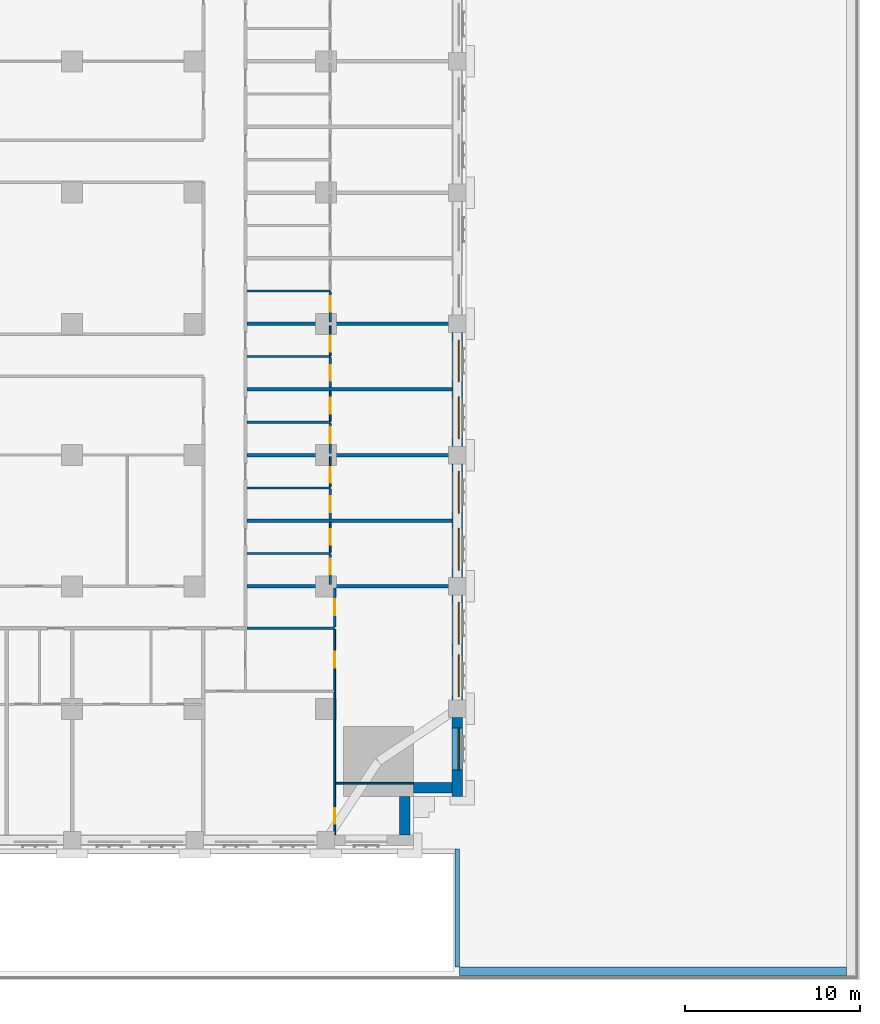
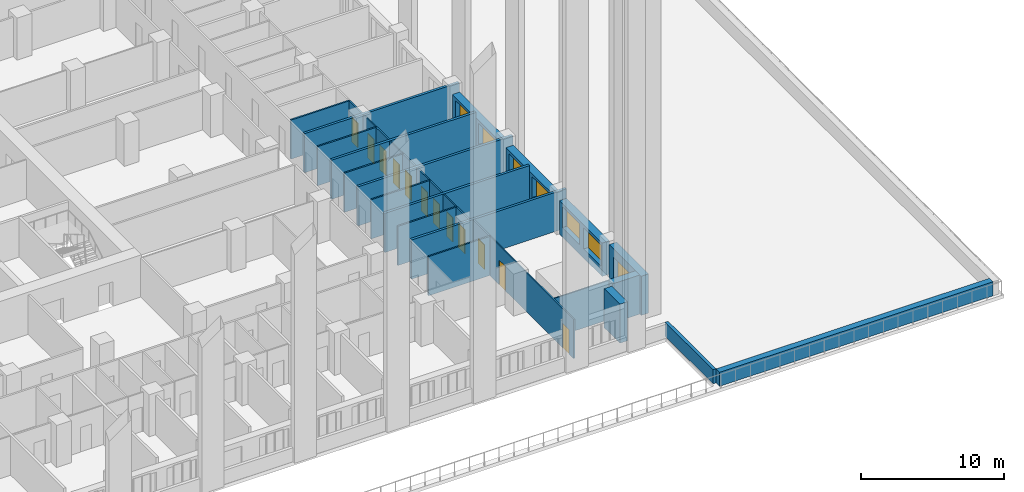
# One storey, part 16 of 27: 31 walls, 12 doors, 7 windows, 19 openings.
"""IFC4 building model written with IfcOpenShell, lengths in metres."""

import ifcopenshell
import ifcopenshell.guid

model = None  # the IFC model being written
_history = None  # IfcOwnerHistory: only IFC2X3 demands one
_inside = {}  # id of a spatial element -> (the spatial element, [elements in it])
_under = {}  # id of a project, library or spatial element -> (it, [spatial elements below it])
_declared = {}  # id of a project -> (the project, [libraries it declares])
_typed = {}  # id of a type object -> (the type object, [elements of that type])
_made_of = {}  # id of a material, layer set ... -> (it, [elements and type objects made of it])


def new_model(schema):
    """Start an empty IFC model of exactly this schema.

    Asked for "IFC4X3", IfcOpenShell would pick the latest addendum, in which some entities
    have other attributes; the version numbers below select the first issue.
    IFC2X3 requires an IfcOwnerHistory on every rooted entity: one is made here for all.
    """
    global model, _history
    if schema == "IFC4X3":
        model = ifcopenshell.file(schema_version=(4, 3, 0, 0))
    else:
        model = ifcopenshell.file(schema=schema)
    _inside.clear()
    _under.clear()
    _declared.clear()
    _typed.clear()
    _made_of.clear()
    _history = None
    if model.schema == "IFC2X3":
        org = make("IfcOrganization", Name="unknown")
        user = make(
            "IfcPersonAndOrganization",
            ThePerson=make("IfcPerson", FamilyName="unknown"),
            TheOrganization=org,
        )
        app = make(
            "IfcApplication",
            ApplicationDeveloper=org,
            Version="unknown",
            ApplicationFullName="unknown",
            ApplicationIdentifier="unknown",
        )
        _history = make(
            "IfcOwnerHistory",
            OwningUser=user,
            OwningApplication=app,
            ChangeAction="ADDED",
            CreationDate=0,
        )
    return model


def make(cls, **values):
    """One entity of the class cls with the attributes given. An attribute that is None is left unset."""
    return model.create_entity(
        cls, **{name: value for name, value in values.items() if value is not None}
    )


def rooted(cls, **values):
    """An entity with a GlobalId (a new one), such as an element, a storey or a relation."""
    return make(cls, GlobalId=ifcopenshell.guid.new(), OwnerHistory=_history, **values)


def si_unit(unit_type, name, prefix=None):
    """IfcSIUnit, for example si_unit("LENGTHUNIT", "METRE", prefix="MILLI")."""
    return make("IfcSIUnit", UnitType=unit_type, Prefix=prefix, Name=name)


def assignment(units):
    """IfcUnitAssignment: the units of a project."""
    return None if units is None else make("IfcUnitAssignment", Units=units)


def point(xyz):
    """IfcCartesianPoint."""
    return None if xyz is None else make("IfcCartesianPoint", Coordinates=xyz)


def direction(xyz):
    """IfcDirection."""
    return None if xyz is None else make("IfcDirection", DirectionRatios=xyz)


def frame(location, z_axis=None, x_axis=None):
    """IfcAxis2Placement3D, a coordinate frame: its origin and axes. An axis left out is left unset."""
    return make(
        "IfcAxis2Placement3D",
        Location=point(location),
        Axis=direction(z_axis),
        RefDirection=direction(x_axis),
    )


def frame_2d(location, x_axis=None):
    """IfcAxis2Placement2D, a coordinate frame in the plane: its origin and x axis."""
    return make(
        "IfcAxis2Placement2D", Location=point(location), RefDirection=direction(x_axis)
    )


def origin():
    """The frame at (0, 0, 0) with its axes left unset."""
    return frame((0.0, 0.0, 0.0))


def place(relative_to, where):
    """IfcLocalPlacement: puts the frame where relative to a parent placement (None: the world)."""
    return make(
        "IfcLocalPlacement", PlacementRelTo=relative_to, RelativePlacement=where
    )


def context(
    kind, dimensions, precision=None, world=None, true_north=None, identifier=None
):
    """IfcGeometricRepresentationContext, for example the 3D "Model" context."""
    return make(
        "IfcGeometricRepresentationContext",
        ContextIdentifier=identifier,
        ContextType=kind,
        CoordinateSpaceDimension=dimensions,
        Precision=precision,
        WorldCoordinateSystem=world,
        TrueNorth=true_north,
    )


def subcontext(parent, identifier, kind, view, scale=None):
    """IfcGeometricRepresentationSubContext, for example "Body" below "Model"."""
    return make(
        "IfcGeometricRepresentationSubContext",
        ContextIdentifier=identifier,
        ContextType=kind,
        ParentContext=parent,
        TargetScale=scale,
        TargetView=view,
    )


def project(units=None, contexts=None):
    """IfcProject with its units and contexts."""
    return rooted(
        "IfcProject",
        Name="project",
        RepresentationContexts=contexts,
        UnitsInContext=assignment(units),
    )


def spatial(cls, under=None, at=None, **own):
    """A site, building, storey or space (cls), placed at a placement, below another one or the project."""
    s = rooted(cls, ObjectPlacement=at, **own)
    if under is not None:
        _under.setdefault(under.id(), (under, []))[1].append(s)
    return s


def profile(cls, at=None, kind="AREA", **sizes):
    """A parametric profile (cls). Its sizes go by their IFC names, for example OverallWidth=200.0."""
    return make(cls, ProfileType=kind, Position=at, **sizes)


def rectangle(**sizes):
    """IfcRectangleProfileDef."""
    return profile("IfcRectangleProfileDef", **sizes)


def extrude(swept, where, along, depth):
    """IfcExtrudedAreaSolid: the profile swept, set in the frame where, extruded along a direction by depth."""
    return make(
        "IfcExtrudedAreaSolid",
        SweptArea=swept,
        Position=where,
        ExtrudedDirection=direction(along),
        Depth=depth,
    )


def shape(context_of_items, identifier, shape_type, items):
    """IfcShapeRepresentation: the items that make up one representation, for example the "Body"."""
    return make(
        "IfcShapeRepresentation",
        ContextOfItems=context_of_items,
        RepresentationIdentifier=identifier,
        RepresentationType=shape_type,
        Items=items,
    )


def material(Name=None, Category=None):
    """IfcMaterial."""
    return make("IfcMaterial", Name=Name, Category=Category)


def layer(
    of_material, thickness, ventilated=None, Name=None, Category=None, Priority=None
):
    """IfcMaterialLayer: one layer of a wall or slab, of a material (None: an air gap)."""
    return make(
        "IfcMaterialLayer",
        Material=of_material,
        LayerThickness=thickness,
        IsVentilated=ventilated,
        Name=Name,
        Category=Category,
        Priority=Priority,
    )


def layer_set(layers, Name=None):
    """IfcMaterialLayerSet."""
    return make("IfcMaterialLayerSet", MaterialLayers=layers, LayerSetName=Name)


def made_of(thing, what):
    """Note that an element or type object is made of a material, layer set ...; save() writes the relation."""
    if what is not None:
        _made_of.setdefault(what.id(), (what, []))[1].append(thing)
    return thing


def type_object(cls, material=None, **own):
    """A type object (cls), such as IfcWallType, which elements share."""
    return made_of(rooted(cls, **own), material)


def element(
    cls,
    number,
    at=None,
    inside=None,
    cuts=None,
    type_object=None,
    material=None,
    context=None,
    identifier="Body",
    shape_type=None,
    held_by="IfcProductDefinitionShape",
    body=None,
    shapes=None,
    **own,
):
    """One element of the class cls, such as IfcWall. Its Tag is "e" and its number.

    at: its placement. inside: the storey or other place that contains it. cuts: it is an
    opening in that element (IfcRelVoidsElement). A single representation is given by context,
    identifier, shape_type and body (its items); several are given by shapes. held_by: the class
    of the entity that holds the representations. save() writes the other relations.
    """
    e = rooted(cls, Tag="e%d" % number, ObjectPlacement=at, **own)
    if body is not None:
        shapes = [shape(context, identifier, shape_type, body)]
    if shapes is not None:
        e.Representation = make(held_by, Representations=shapes)
    if inside is not None:
        _inside.setdefault(inside.id(), (inside, []))[1].append(e)
    if cuts is not None:
        rooted(
            "IfcRelVoidsElement", RelatingBuildingElement=cuts, RelatedOpeningElement=e
        )
    if type_object is not None:
        _typed.setdefault(type_object.id(), (type_object, []))[1].append(e)
    return made_of(e, material)


def fill(opening, filler):
    """IfcRelFillsElement: the door or window that sits in an opening."""
    return rooted(
        "IfcRelFillsElement",
        RelatingOpeningElement=opening,
        RelatedBuildingElement=filler,
    )


def aggregate(whole, parts):
    """IfcRelAggregates: a whole, such as a stair, and the parts it consists of."""
    return rooted("IfcRelAggregates", RelatingObject=whole, RelatedObjects=parts)


def save(model, path):
    """Write the relations noted so far, then the file.

    IfcRelAggregates (storeys below a building ...), IfcRelContainedInSpatialStructure (elements
    in a storey), IfcRelDefinesByType, IfcRelAssociatesMaterial and IfcRelDeclares: one each for
    every whole, place, type object, material and project.
    """
    for whole, parts in _under.values():
        aggregate(whole, parts)
    for where, things in _inside.values():
        rooted(
            "IfcRelContainedInSpatialStructure",
            RelatedElements=things,
            RelatingStructure=where,
        )
    for kind, things in _typed.values():
        rooted("IfcRelDefinesByType", RelatedObjects=things, RelatingType=kind)
    for what, things in _made_of.values():
        rooted("IfcRelAssociatesMaterial", RelatedObjects=things, RelatingMaterial=what)
    for by, libraries in _declared.values():
        rooted("IfcRelDeclares", RelatingContext=by, RelatedDefinitions=libraries)
    model.write(path)


model = new_model("IFC4")

# Units and contexts
model_context = context("Model", 3, precision=1e-05, world=origin(), true_north=direction((0.0, 1.0)))
body_context = subcontext(model_context, "Body", "Model", "MODEL_VIEW")
ifc_project = project(units=[si_unit("LENGTHUNIT", "METRE"), si_unit("AREAUNIT", "SQUARE_METRE"), si_unit("VOLUMEUNIT", "CUBIC_METRE"), si_unit("PLANEANGLEUNIT", "RADIAN"), si_unit("MASSUNIT", "GRAM", prefix="KILO")], contexts=[model_context])

# Site, building, storey
site_placement = place(None, origin())
site = spatial("IfcSite", under=ifc_project, at=site_placement, CompositionType="ELEMENT")
building_placement = place(site_placement, origin())
building = spatial("IfcBuilding", under=site, at=building_placement, Name="Tamorin Gate", CompositionType="ELEMENT")
storey_placement = place(building_placement, frame((0.0, 0.0, 34.0)))
storey = spatial("IfcBuildingStorey", under=building, at=storey_placement, Name="L06", CompositionType="ELEMENT", Elevation=34.0)

# Walls
ifc_material_1 = material(Name="Precast concrete C40/50", Category="concrete")
ifc_layer_1 = layer(ifc_material_1, 0.60009765625)
ifc_layer_set_1 = layer_set([ifc_layer_1], Name="Precast concrete C40/50")
wall_type_1 = type_object("IfcWallType", Name="Board-marked concrete facade panel 600", PredefinedType="SOLIDWALL", material=ifc_layer_set_1)
for number, where, z_axis, x_axis, name in (
    (1, (86.5, 38.300048828125, 0.0), (0.0, 0.0, 1.0), (0.0, 1.0, 0.0), "Facade panel"),
    (2, (87.0, 41.0, 0.0), (0.0, 0.0, 1.0), (1.0, 0.0, 0.0), "Facade panel"),
):
    element("IfcWall", number, at=place(storey_placement, frame(where, z_axis=z_axis, x_axis=x_axis)), inside=storey, type_object=wall_type_1, Name=name, PredefinedType="SOLIDWALL", context=body_context, shape_type="SweptSolid", body=[
        extrude(rectangle(XDim=2.199951171875, YDim=0.60009765625, at=frame_2d((1.10009765625, 0.0))), origin(), (0.0, 0.0, 1.0), 3.35009765625),
    ])

# Wall, opening, window
wall_1_placement = place(storey_placement, frame((89.5, 40.5, 0.0), z_axis=(0.0, 0.0, 1.0), x_axis=(0.0, 1.0, 0.0)))
wall_1 = element("IfcWall", 3, at=wall_1_placement, inside=storey, type_object=wall_type_1, Name="Facade panel", PredefinedType="SOLIDWALL", context=body_context, shape_type="SweptSolid", body=[
    extrude(rectangle(XDim=4.5, YDim=0.60009765625, at=frame_2d((2.25, 0.0))), origin(), (0.0, 0.0, 1.0), 3.35009765625),
])
opening_1_placement = place(wall_1_placement, frame((1.5, 0.0, 0.800048828125)))
opening_1 = element("IfcOpeningElement", 4, at=opening_1_placement, cuts=wall_1, Name="Opening WN1", PredefinedType="OPENING", context=body_context, shape_type="SweptSolid", body=[
    extrude(rectangle(XDim=2.39990234375, YDim=1.800048828125, at=frame_2d((1.199951171875, 0.89990234375))), frame((0.0, 0.31005859375, 0.0), z_axis=(0.0, -1.0, 0.0), x_axis=(1.0, 0.0, 0.0)), (0.0, 0.0, 1.0), 0.6201171875),
])
ifc_material_2 = material(Name="Clear glass in aluminium frame", Category="aluminium")
window_type = type_object("IfcWindowType", Name="Deep-set window 2400x1800", PartitioningType="SINGLE_PANEL", PredefinedType="WINDOW", material=ifc_material_2)
window_1_placement = place(opening_1_placement, origin())
window_1 = element("IfcWindow", 5, at=window_1_placement, inside=storey, type_object=window_type, Name="Deep-set window", OverallHeight=1.800048828125, OverallWidth=2.39990234375, PartitioningType="SINGLE_PANEL", PredefinedType="WINDOW", context=body_context, shape_type="SweptSolid", body=[
    extrude(rectangle(XDim=2.39990234375, YDim=1.800048828125, at=frame_2d((1.199951171875, 0.89990234375))), frame((0.0, -0.070068359375, 0.0), z_axis=(0.0, -1.0, 0.0), x_axis=(1.0, 0.0, 0.0)), (0.0, 0.0, 1.0), 0.06005859375),
])
fill(opening_1, window_1)

# Wall, openings, windows
wall_2_placement = place(storey_placement, frame((89.5, 46.0, 0.0), z_axis=(0.0, 0.0, 1.0), x_axis=(0.0, 1.0, 0.0)))
wall_2 = element("IfcWall", 6, at=wall_2_placement, inside=storey, type_object=wall_type_1, Name="Facade panel", PredefinedType="SOLIDWALL", context=body_context, shape_type="SweptSolid", body=[
    extrude(rectangle(XDim=6.0, YDim=0.60009765625, at=frame_2d((3.0, 0.0))), origin(), (0.0, 0.0, 1.0), 2.85009765625),
])
opening_2_placement = place(wall_2_placement, frame((0.175048828125, 0.0, 0.800048828125)))
opening_2 = element("IfcOpeningElement", 7, at=opening_2_placement, cuts=wall_2, Name="Opening WN1", PredefinedType="OPENING", context=body_context, shape_type="SweptSolid", body=[
    extrude(rectangle(XDim=2.39990234375, YDim=1.800048828125, at=frame_2d((1.199951171875, 0.89990234375))), frame((0.0, 0.31005859375, 0.0), z_axis=(0.0, -1.0, 0.0), x_axis=(1.0, 0.0, 0.0)), (0.0, 0.0, 1.0), 0.6201171875),
])
opening_3_placement = place(wall_2_placement, frame((3.175048828125, 0.0, 0.800048828125)))
opening_3 = element("IfcOpeningElement", 8, at=opening_3_placement, cuts=wall_2, Name="Opening WN1", PredefinedType="OPENING", context=body_context, shape_type="SweptSolid", body=[
    extrude(rectangle(XDim=2.39990234375, YDim=1.800048828125, at=frame_2d((1.199951171875, 0.89990234375))), frame((0.0, 0.31005859375, 0.0), z_axis=(0.0, -1.0, 0.0), x_axis=(1.0, 0.0, 0.0)), (0.0, 0.0, 1.0), 0.6201171875),
])
window_2_placement = place(opening_2_placement, origin())
window_2 = element("IfcWindow", 9, at=window_2_placement, inside=storey, type_object=window_type, Name="Deep-set window", OverallHeight=1.800048828125, OverallWidth=2.39990234375, PartitioningType="SINGLE_PANEL", PredefinedType="WINDOW", context=body_context, shape_type="SweptSolid", body=[
    extrude(rectangle(XDim=2.39990234375, YDim=1.800048828125, at=frame_2d((1.199951171875, 0.89990234375))), frame((0.0, -0.070068359375, 0.0), z_axis=(0.0, -1.0, 0.0), x_axis=(1.0, 0.0, 0.0)), (0.0, 0.0, 1.0), 0.06005859375),
])
fill(opening_2, window_2)
window_3_placement = place(opening_3_placement, origin())
window_3 = element("IfcWindow", 10, at=window_3_placement, inside=storey, type_object=window_type, Name="Deep-set window", OverallHeight=1.800048828125, OverallWidth=2.39990234375, PartitioningType="SINGLE_PANEL", PredefinedType="WINDOW", context=body_context, shape_type="SweptSolid", body=[
    extrude(rectangle(XDim=2.39990234375, YDim=1.800048828125, at=frame_2d((1.199951171875, 0.89990234375))), frame((0.0, -0.070068359375, 0.0), z_axis=(0.0, -1.0, 0.0), x_axis=(1.0, 0.0, 0.0)), (0.0, 0.0, 1.0), 0.06005859375),
])
fill(opening_3, window_3)

wall_3_placement = place(storey_placement, frame((89.5, 53.0, 0.0), z_axis=(0.0, 0.0, 1.0), x_axis=(0.0, 1.0, 0.0)))
wall_3 = element("IfcWall", 11, at=wall_3_placement, inside=storey, type_object=wall_type_1, Name="Facade panel", PredefinedType="SOLIDWALL", context=body_context, shape_type="SweptSolid", body=[
    extrude(rectangle(XDim=6.5, YDim=0.60009765625, at=frame_2d((3.25, 0.0))), origin(), (0.0, 0.0, 1.0), 2.85009765625),
])
opening_4_placement = place(wall_3_placement, frame((0.425048828125, 0.0, 0.800048828125)))
opening_4 = element("IfcOpeningElement", 12, at=opening_4_placement, cuts=wall_3, Name="Opening WN1", PredefinedType="OPENING", context=body_context, shape_type="SweptSolid", body=[
    extrude(rectangle(XDim=2.39990234375, YDim=1.800048828125, at=frame_2d((1.199951171875, 0.89990234375))), frame((0.0, 0.31005859375, 0.0), z_axis=(0.0, -1.0, 0.0), x_axis=(1.0, 0.0, 0.0)), (0.0, 0.0, 1.0), 0.6201171875),
])
opening_5_placement = place(wall_3_placement, frame((3.675048828125, 0.0, 0.800048828125)))
opening_5 = element("IfcOpeningElement", 13, at=opening_5_placement, cuts=wall_3, Name="Opening WN1", PredefinedType="OPENING", context=body_context, shape_type="SweptSolid", body=[
    extrude(rectangle(XDim=2.39990234375, YDim=1.800048828125, at=frame_2d((1.199951171875, 0.89990234375))), frame((0.0, 0.31005859375, 0.0), z_axis=(0.0, -1.0, 0.0), x_axis=(1.0, 0.0, 0.0)), (0.0, 0.0, 1.0), 0.6201171875),
])
window_4_placement = place(opening_4_placement, origin())
window_4 = element("IfcWindow", 14, at=window_4_placement, inside=storey, type_object=window_type, Name="Deep-set window", OverallHeight=1.800048828125, OverallWidth=2.39990234375, PartitioningType="SINGLE_PANEL", PredefinedType="WINDOW", context=body_context, shape_type="SweptSolid", body=[
    extrude(rectangle(XDim=2.39990234375, YDim=1.800048828125, at=frame_2d((1.199951171875, 0.89990234375))), frame((0.0, -0.070068359375, 0.0), z_axis=(0.0, -1.0, 0.0), x_axis=(1.0, 0.0, 0.0)), (0.0, 0.0, 1.0), 0.06005859375),
])
fill(opening_4, window_4)
window_5_placement = place(opening_5_placement, origin())
window_5 = element("IfcWindow", 15, at=window_5_placement, inside=storey, type_object=window_type, Name="Deep-set window", OverallHeight=1.800048828125, OverallWidth=2.39990234375, PartitioningType="SINGLE_PANEL", PredefinedType="WINDOW", context=body_context, shape_type="SweptSolid", body=[
    extrude(rectangle(XDim=2.39990234375, YDim=1.800048828125, at=frame_2d((1.199951171875, 0.89990234375))), frame((0.0, -0.070068359375, 0.0), z_axis=(0.0, -1.0, 0.0), x_axis=(1.0, 0.0, 0.0)), (0.0, 0.0, 1.0), 0.06005859375),
])
fill(opening_5, window_5)

wall_4_placement = place(storey_placement, frame((89.5, 60.5, 0.0), z_axis=(0.0, 0.0, 1.0), x_axis=(0.0, 1.0, 0.0)))
wall_4 = element("IfcWall", 16, at=wall_4_placement, inside=storey, type_object=wall_type_1, Name="Facade panel", PredefinedType="SOLIDWALL", context=body_context, shape_type="SweptSolid", body=[
    extrude(rectangle(XDim=6.5, YDim=0.60009765625, at=frame_2d((3.25, 0.0))), origin(), (0.0, 0.0, 1.0), 2.85009765625),
])
opening_6_placement = place(wall_4_placement, frame((0.425048828125, 0.0, 0.800048828125)))
opening_6 = element("IfcOpeningElement", 17, at=opening_6_placement, cuts=wall_4, Name="Opening WN1", PredefinedType="OPENING", context=body_context, shape_type="SweptSolid", body=[
    extrude(rectangle(XDim=2.39990234375, YDim=1.800048828125, at=frame_2d((1.199951171875, 0.89990234375))), frame((0.0, 0.31005859375, 0.0), z_axis=(0.0, -1.0, 0.0), x_axis=(1.0, 0.0, 0.0)), (0.0, 0.0, 1.0), 0.6201171875),
])
opening_7_placement = place(wall_4_placement, frame((3.675048828125, 0.0, 0.800048828125)))
opening_7 = element("IfcOpeningElement", 18, at=opening_7_placement, cuts=wall_4, Name="Opening WN1", PredefinedType="OPENING", context=body_context, shape_type="SweptSolid", body=[
    extrude(rectangle(XDim=2.39990234375, YDim=1.800048828125, at=frame_2d((1.199951171875, 0.89990234375))), frame((0.0, 0.31005859375, 0.0), z_axis=(0.0, -1.0, 0.0), x_axis=(1.0, 0.0, 0.0)), (0.0, 0.0, 1.0), 0.6201171875),
])
window_6_placement = place(opening_6_placement, origin())
window_6 = element("IfcWindow", 19, at=window_6_placement, inside=storey, type_object=window_type, Name="Deep-set window", OverallHeight=1.800048828125, OverallWidth=2.39990234375, PartitioningType="SINGLE_PANEL", PredefinedType="WINDOW", context=body_context, shape_type="SweptSolid", body=[
    extrude(rectangle(XDim=2.39990234375, YDim=1.800048828125, at=frame_2d((1.199951171875, 0.89990234375))), frame((0.0, -0.070068359375, 0.0), z_axis=(0.0, -1.0, 0.0), x_axis=(1.0, 0.0, 0.0)), (0.0, 0.0, 1.0), 0.06005859375),
])
fill(opening_6, window_6)
window_7_placement = place(opening_7_placement, origin())
window_7 = element("IfcWindow", 20, at=window_7_placement, inside=storey, type_object=window_type, Name="Deep-set window", OverallHeight=1.800048828125, OverallWidth=2.39990234375, PartitioningType="SINGLE_PANEL", PredefinedType="WINDOW", context=body_context, shape_type="SweptSolid", body=[
    extrude(rectangle(XDim=2.39990234375, YDim=1.800048828125, at=frame_2d((1.199951171875, 0.89990234375))), frame((0.0, -0.070068359375, 0.0), z_axis=(0.0, -1.0, 0.0), x_axis=(1.0, 0.0, 0.0)), (0.0, 0.0, 1.0), 0.06005859375),
])
fill(opening_7, window_7)

# Walls
ifc_material_3 = material(Name="Gypsum board partition")
ifc_layer_2 = layer(ifc_material_3, 0.199951171875)
ifc_layer_set_2 = layer_set([ifc_layer_2], Name="Demising wall 200")
wall_type_2 = type_object("IfcWallType", Name="Demising wall 200", PredefinedType="PARTITIONING", material=ifc_layer_set_2)
wall_5_placement = place(storey_placement, frame((77.47509765625, 52.5, 0.0), z_axis=(0.0, 0.0, 1.0), x_axis=(1.0, 0.0, 0.0)))
element("IfcWall", 21, at=wall_5_placement, inside=storey, type_object=wall_type_2, Name="Demising wall 200", PredefinedType="PARTITIONING", context=body_context, shape_type="SweptSolid", body=[
    extrude(rectangle(XDim=12.52490234375, YDim=0.199951171875, at=frame_2d((6.262451171875, 0.0))), origin(), (0.0, 0.0, 1.0), 3.35009765625),
])
wall_6_placement = place(storey_placement, frame((77.47509765625, 56.25, 0.0), z_axis=(0.0, 0.0, 1.0), x_axis=(1.0, 0.0, 0.0)))
element("IfcWall", 22, at=wall_6_placement, inside=storey, type_object=wall_type_2, Name="Demising wall 200", PredefinedType="PARTITIONING", context=body_context, shape_type="SweptSolid", body=[
    extrude(rectangle(XDim=11.71484375, YDim=0.199951171875, at=frame_2d((5.857421875, 0.0))), origin(), (0.0, 0.0, 1.0), 3.35009765625),
])
wall_7_placement = place(storey_placement, frame((77.47509765625, 60.0, 0.0), z_axis=(0.0, 0.0, 1.0), x_axis=(1.0, 0.0, 0.0)))
element("IfcWall", 23, at=wall_7_placement, inside=storey, type_object=wall_type_2, Name="Demising wall 200", PredefinedType="PARTITIONING", context=body_context, shape_type="SweptSolid", body=[
    extrude(rectangle(XDim=12.52490234375, YDim=0.199951171875, at=frame_2d((6.262451171875, 0.0))), origin(), (0.0, 0.0, 1.0), 3.35009765625),
])
wall_8_placement = place(storey_placement, frame((77.47509765625, 63.75, 0.0), z_axis=(0.0, 0.0, 1.0), x_axis=(1.0, 0.0, 0.0)))
element("IfcWall", 24, at=wall_8_placement, inside=storey, type_object=wall_type_2, Name="Demising wall 200", PredefinedType="PARTITIONING", context=body_context, shape_type="SweptSolid", body=[
    extrude(rectangle(XDim=11.71484375, YDim=0.199951171875, at=frame_2d((5.857421875, 0.0))), origin(), (0.0, 0.0, 1.0), 3.35009765625),
])
wall_9_placement = place(storey_placement, frame((77.47509765625, 67.5, 0.0), z_axis=(0.0, 0.0, 1.0), x_axis=(1.0, 0.0, 0.0)))
element("IfcWall", 25, at=wall_9_placement, inside=storey, type_object=wall_type_2, Name="Demising wall 200", PredefinedType="PARTITIONING", context=body_context, shape_type="SweptSolid", body=[
    extrude(rectangle(XDim=12.52490234375, YDim=0.199951171875, at=frame_2d((6.262451171875, 0.0))), origin(), (0.0, 0.0, 1.0), 3.35009765625),
])
ifc_layer_3 = layer(ifc_material_1, 0.5)
ifc_layer_set_3 = layer_set([ifc_layer_3], Name="Precast concrete C40/50")
wall_type_3 = type_object("IfcWallType", Name="Precast roof parapet 500", PredefinedType="PARAPET", material=ifc_layer_set_3)
wall_10_placement = place(storey_placement, frame((89.625, 30.5, 0.0), z_axis=(0.0, 0.0, 1.0), x_axis=(1.0, 0.0, 0.0)))
element("IfcWall", 26, at=wall_10_placement, inside=storey, type_object=wall_type_3, Name="Roof parapet", PredefinedType="PARAPET", context=body_context, shape_type="SweptSolid", body=[
    extrude(rectangle(XDim=22.125, YDim=0.5, at=frame_2d((11.0625, 0.0))), origin(), (0.0, 0.0, 1.0), 1.199951171875),
])
ifc_layer_4 = layer(ifc_material_1, 0.25)
ifc_layer_set_4 = layer_set([ifc_layer_4], Name="Precast concrete C40/50")
wall_type_4 = type_object("IfcWallType", Name="Precast terrace parapet 250", PredefinedType="PARAPET", material=ifc_layer_set_4)
wall_11_placement = place(storey_placement, frame((89.5, 37.47509765625, 0.0), z_axis=(0.0, 0.0, 1.0), x_axis=(0.0, -1.0, 0.0)))
element("IfcWall", 27, at=wall_11_placement, inside=storey, type_object=wall_type_4, Name="Roof parapet", PredefinedType="PARAPET", context=body_context, shape_type="SweptSolid", body=[
    extrude(rectangle(XDim=6.72509765625, YDim=0.25, at=frame_2d((3.362548828125, 0.0))), origin(), (0.0, 0.0, 1.0), 1.199951171875),
])
ifc_layer_5 = layer(ifc_material_3, 0.10009765625)
ifc_layer_set_5 = layer_set([ifc_layer_5], Name="Room partition 100")
wall_type_5 = type_object("IfcWallType", Name="Room partition 100", PredefinedType="PARTITIONING", material=ifc_layer_set_5)
wall_12_placement = place(storey_placement, frame((82.550048828125, 41.25, 0.0), z_axis=(0.0, 0.0, 1.0), x_axis=(1.0, 0.0, 0.0)))
element("IfcWall", 28, at=wall_12_placement, inside=storey, type_object=wall_type_5, Name="Room partition 100", PredefinedType="PARTITIONING", context=body_context, shape_type="SweptSolid", body=[
    extrude(rectangle(XDim=4.43994140625, YDim=0.10009765625, at=frame_2d((2.219970703125, 0.0))), origin(), (0.0, 0.0, 1.0), 3.35009765625),
])

# Wall, opening, door
wall_13_placement = place(storey_placement, frame((82.25, 54.4375, 0.0), z_axis=(0.0, 0.0, 1.0), x_axis=(0.0, 1.0, 0.0)))
wall_13 = element("IfcWall", 29, at=wall_13_placement, inside=storey, type_object=wall_type_5, Name="Room partition 100", PredefinedType="PARTITIONING", context=body_context, shape_type="SweptSolid", body=[
    extrude(rectangle(XDim=1.71240234375, YDim=0.10009765625, at=frame_2d((0.856201171875, 0.0))), origin(), (0.0, 0.0, 1.0), 3.35009765625),
])
opening_8_placement = place(wall_13_placement, frame((0.425048828125, 0.0, 0.0)))
opening_8 = element("IfcOpeningElement", 30, at=opening_8_placement, cuts=wall_13, Name="Opening DH1053", PredefinedType="OPENING", context=body_context, shape_type="SweptSolid", body=[
    extrude(rectangle(XDim=0.89990234375, YDim=2.10009765625, at=frame_2d((0.449951171875, 1.050048828125))), frame((0.0, 0.06005859375, 0.0), z_axis=(0.0, -1.0, 0.0), x_axis=(1.0, 0.0, 0.0)), (0.0, 0.0, 1.0), 0.1201171875),
])
ifc_material_4 = material(Name="Timber door leaf", Category="wood")
door_type = type_object("IfcDoorType", Name="Door 900 x 2100", OperationType="NOTDEFINED", PredefinedType="DOOR", material=ifc_material_4)
door_1_placement = place(opening_8_placement, origin())
door_1 = element("IfcDoor", 31, at=door_1_placement, inside=storey, type_object=door_type, Name="Door DH1053", OperationType="SINGLE_SWING_LEFT", OverallHeight=2.10009765625, OverallWidth=0.89990234375, PredefinedType="DOOR", context=body_context, shape_type="SweptSolid", body=[
    extrude(rectangle(XDim=0.89990234375, YDim=2.10009765625, at=frame_2d((0.449951171875, 1.050048828125))), frame((0.0, 0.02490234375, 0.0), z_axis=(0.0, -1.0, 0.0), x_axis=(1.0, 0.0, 0.0)), (0.0, 0.0, 1.0), 0.050048828125),
])
fill(opening_8, door_1)

wall_14_placement = place(storey_placement, frame((82.25, 58.1875, 0.0), z_axis=(0.0, 0.0, 1.0), x_axis=(0.0, 1.0, 0.0)))
wall_14 = element("IfcWall", 32, at=wall_14_placement, inside=storey, type_object=wall_type_5, Name="Room partition 100", PredefinedType="PARTITIONING", context=body_context, shape_type="SweptSolid", body=[
    extrude(rectangle(XDim=1.71240234375, YDim=0.10009765625, at=frame_2d((0.856201171875, 0.0))), origin(), (0.0, 0.0, 1.0), 3.35009765625),
])
opening_9_placement = place(wall_14_placement, frame((0.22509765625, 0.0, 0.0)))
opening_9 = element("IfcOpeningElement", 33, at=opening_9_placement, cuts=wall_14, Name="Opening DH1056", PredefinedType="OPENING", context=body_context, shape_type="SweptSolid", body=[
    extrude(rectangle(XDim=0.89990234375, YDim=2.10009765625, at=frame_2d((0.449951171875, 1.050048828125))), frame((0.0, 0.06005859375, 0.0), z_axis=(0.0, -1.0, 0.0), x_axis=(1.0, 0.0, 0.0)), (0.0, 0.0, 1.0), 0.1201171875),
])
door_2_placement = place(opening_9_placement, origin())
door_2 = element("IfcDoor", 34, at=door_2_placement, inside=storey, type_object=door_type, Name="Door DH1056", OperationType="SINGLE_SWING_LEFT", OverallHeight=2.10009765625, OverallWidth=0.89990234375, PredefinedType="DOOR", context=body_context, shape_type="SweptSolid", body=[
    extrude(rectangle(XDim=0.89990234375, YDim=2.10009765625, at=frame_2d((0.449951171875, 1.050048828125))), frame((0.0, 0.02490234375, 0.0), z_axis=(0.0, -1.0, 0.0), x_axis=(1.0, 0.0, 0.0)), (0.0, 0.0, 1.0), 0.050048828125),
])
fill(opening_9, door_2)

wall_15_placement = place(storey_placement, frame((82.25, 61.9375, 0.0), z_axis=(0.0, 0.0, 1.0), x_axis=(0.0, 1.0, 0.0)))
wall_15 = element("IfcWall", 35, at=wall_15_placement, inside=storey, type_object=wall_type_5, Name="Room partition 100", PredefinedType="PARTITIONING", context=body_context, shape_type="SweptSolid", body=[
    extrude(rectangle(XDim=1.71240234375, YDim=0.10009765625, at=frame_2d((0.856201171875, 0.0))), origin(), (0.0, 0.0, 1.0), 3.35009765625),
])
opening_10_placement = place(wall_15_placement, frame((0.425048828125, 0.0, 0.0)))
opening_10 = element("IfcOpeningElement", 36, at=opening_10_placement, cuts=wall_15, Name="Opening DH1059", PredefinedType="OPENING", context=body_context, shape_type="SweptSolid", body=[
    extrude(rectangle(XDim=0.89990234375, YDim=2.10009765625, at=frame_2d((0.449951171875, 1.050048828125))), frame((0.0, 0.06005859375, 0.0), z_axis=(0.0, -1.0, 0.0), x_axis=(1.0, 0.0, 0.0)), (0.0, 0.0, 1.0), 0.1201171875),
])
door_3_placement = place(opening_10_placement, origin())
door_3 = element("IfcDoor", 37, at=door_3_placement, inside=storey, type_object=door_type, Name="Door DH1059", OperationType="SINGLE_SWING_LEFT", OverallHeight=2.10009765625, OverallWidth=0.89990234375, PredefinedType="DOOR", context=body_context, shape_type="SweptSolid", body=[
    extrude(rectangle(XDim=0.89990234375, YDim=2.10009765625, at=frame_2d((0.449951171875, 1.050048828125))), frame((0.0, 0.02490234375, 0.0), z_axis=(0.0, -1.0, 0.0), x_axis=(1.0, 0.0, 0.0)), (0.0, 0.0, 1.0), 0.050048828125),
])
fill(opening_10, door_3)

wall_16_placement = place(storey_placement, frame((82.25, 65.6875, 0.0), z_axis=(0.0, 0.0, 1.0), x_axis=(0.0, 1.0, 0.0)))
wall_16 = element("IfcWall", 38, at=wall_16_placement, inside=storey, type_object=wall_type_5, Name="Room partition 100", PredefinedType="PARTITIONING", context=body_context, shape_type="SweptSolid", body=[
    extrude(rectangle(XDim=1.71240234375, YDim=0.10009765625, at=frame_2d((0.856201171875, 0.0))), origin(), (0.0, 0.0, 1.0), 3.35009765625),
])
opening_11_placement = place(wall_16_placement, frame((0.22509765625, 0.0, 0.0)))
opening_11 = element("IfcOpeningElement", 39, at=opening_11_placement, cuts=wall_16, Name="Opening DH1062", PredefinedType="OPENING", context=body_context, shape_type="SweptSolid", body=[
    extrude(rectangle(XDim=0.89990234375, YDim=2.10009765625, at=frame_2d((0.449951171875, 1.050048828125))), frame((0.0, 0.06005859375, 0.0), z_axis=(0.0, -1.0, 0.0), x_axis=(1.0, 0.0, 0.0)), (0.0, 0.0, 1.0), 0.1201171875),
])
door_4_placement = place(opening_11_placement, origin())
door_4 = element("IfcDoor", 40, at=door_4_placement, inside=storey, type_object=door_type, Name="Door DH1062", OperationType="SINGLE_SWING_LEFT", OverallHeight=2.10009765625, OverallWidth=0.89990234375, PredefinedType="DOOR", context=body_context, shape_type="SweptSolid", body=[
    extrude(rectangle(XDim=0.89990234375, YDim=2.10009765625, at=frame_2d((0.449951171875, 1.050048828125))), frame((0.0, 0.02490234375, 0.0), z_axis=(0.0, -1.0, 0.0), x_axis=(1.0, 0.0, 0.0)), (0.0, 0.0, 1.0), 0.050048828125),
])
fill(opening_11, door_4)

# Wall, openings, doors
wall_17_placement = place(storey_placement, frame((82.5, 38.31005859375, 0.0), z_axis=(0.0, 0.0, 1.0), x_axis=(0.0, 1.0, 0.0)))
wall_17 = element("IfcWall", 41, at=wall_17_placement, inside=storey, type_object=wall_type_5, Name="Room partition 100", PredefinedType="PARTITIONING", context=body_context, shape_type="SweptSolid", body=[
    extrude(rectangle(XDim=11.7275390625, YDim=0.10009765625, at=frame_2d((5.86376953125, 0.0))), origin(), (0.0, 0.0, 1.0), 3.35009765625),
])
opening_12_placement = place(wall_17_placement, frame((0.614990234375, 0.0, 0.0)))
opening_12 = element("IfcOpeningElement", 42, at=opening_12_placement, cuts=wall_17, Name="Opening DH1084", PredefinedType="OPENING", context=body_context, shape_type="SweptSolid", body=[
    extrude(rectangle(XDim=0.89990234375, YDim=2.10009765625, at=frame_2d((0.449951171875, 1.050048828125))), frame((0.0, 0.06005859375, 0.0), z_axis=(0.0, -1.0, 0.0), x_axis=(1.0, 0.0, 0.0)), (0.0, 0.0, 1.0), 0.1201171875),
])
opening_13_placement = place(wall_17_placement, frame((9.5400390625, 0.0, 0.0)))
opening_13 = element("IfcOpeningElement", 43, at=opening_13_placement, cuts=wall_17, Name="Opening DH1085", PredefinedType="OPENING", context=body_context, shape_type="SweptSolid", body=[
    extrude(rectangle(XDim=0.89990234375, YDim=2.10009765625, at=frame_2d((0.449951171875, 1.050048828125))), frame((0.0, 0.06005859375, 0.0), z_axis=(0.0, -1.0, 0.0), x_axis=(1.0, 0.0, 0.0)), (0.0, 0.0, 1.0), 0.1201171875),
])
door_5_placement = place(opening_12_placement, origin())
door_5 = element("IfcDoor", 44, at=door_5_placement, inside=storey, type_object=door_type, Name="Door DH1084", OperationType="SINGLE_SWING_LEFT", OverallHeight=2.10009765625, OverallWidth=0.89990234375, PredefinedType="DOOR", context=body_context, shape_type="SweptSolid", body=[
    extrude(rectangle(XDim=0.89990234375, YDim=2.10009765625, at=frame_2d((0.449951171875, 1.050048828125))), frame((0.0, 0.02490234375, 0.0), z_axis=(0.0, -1.0, 0.0), x_axis=(1.0, 0.0, 0.0)), (0.0, 0.0, 1.0), 0.050048828125),
])
fill(opening_12, door_5)
door_6_placement = place(opening_13_placement, origin())
door_6 = element("IfcDoor", 45, at=door_6_placement, inside=storey, type_object=door_type, Name="Door DH1085", OperationType="SINGLE_SWING_RIGHT", OverallHeight=2.10009765625, OverallWidth=0.89990234375, PredefinedType="DOOR", context=body_context, shape_type="SweptSolid", body=[
    extrude(rectangle(XDim=0.89990234375, YDim=2.10009765625, at=frame_2d((0.449951171875, 1.050048828125))), frame((0.0, 0.02490234375, 0.0), z_axis=(0.0, -1.0, 0.0), x_axis=(1.0, 0.0, 0.0)), (0.0, 0.0, 1.0), 0.050048828125),
])
fill(opening_13, door_6)

# Walls
ifc_layer_6 = layer(ifc_material_3, 0.125)
ifc_layer_set_6 = layer_set([ifc_layer_6], Name="Wet wall 125")
wall_type_6 = type_object("IfcWallType", Name="Wet wall 125", PredefinedType="PARTITIONING", material=ifc_layer_set_6)
wall_18_placement = place(storey_placement, frame((77.47509765625, 50.10009765625, 0.0), z_axis=(0.0, 0.0, 1.0), x_axis=(1.0, 0.0, 0.0)))
element("IfcWall", 46, at=wall_18_placement, inside=storey, type_object=wall_type_6, Name="Wet wall 125", PredefinedType="PARTITIONING", context=body_context, shape_type="SweptSolid", body=[
    extrude(rectangle(XDim=5.02490234375, YDim=0.125, at=frame_2d((2.512451171875, 0.0))), origin(), (0.0, 0.0, 1.0), 3.35009765625),
])
for number, where, z_axis, x_axis, name in (
    (47, (77.47509765625, 54.375, 0.0), (0.0, 0.0, 1.0), (1.0, 0.0, 0.0), "Wet wall 125"),
    (48, (77.47509765625, 58.125, 0.0), (0.0, 0.0, 1.0), (1.0, 0.0, 0.0), "Wet wall 125"),
    (49, (77.47509765625, 61.875, 0.0), (0.0, 0.0, 1.0), (1.0, 0.0, 0.0), "Wet wall 125"),
    (50, (77.47509765625, 65.625, 0.0), (0.0, 0.0, 1.0), (1.0, 0.0, 0.0), "Wet wall 125"),
    (51, (77.47509765625, 69.375, 0.0), (0.0, 0.0, 1.0), (1.0, 0.0, 0.0), "Wet wall 125"),
):
    element("IfcWall", number, at=place(storey_placement, frame(where, z_axis=z_axis, x_axis=x_axis)), inside=storey, type_object=wall_type_6, Name=name, PredefinedType="PARTITIONING", context=body_context, shape_type="SweptSolid", body=[
        extrude(rectangle(XDim=4.77490234375, YDim=0.125, at=frame_2d((2.387451171875, 0.0))), origin(), (0.0, 0.0, 1.0), 3.35009765625),
    ])

# Wall, opening, door
wall_19_placement = place(storey_placement, frame((82.25, 52.60009765625, 0.0), z_axis=(0.0, 0.0, 1.0), x_axis=(0.0, 1.0, 0.0)))
wall_19 = element("IfcWall", 52, at=wall_19_placement, inside=storey, type_object=wall_type_6, Name="Wet wall 125", PredefinedType="PARTITIONING", context=body_context, shape_type="SweptSolid", body=[
    extrude(rectangle(XDim=1.71240234375, YDim=0.125, at=frame_2d((0.856201171875, 0.0))), origin(), (0.0, 0.0, 1.0), 3.35009765625),
])
opening_14_placement = place(wall_19_placement, frame((0.58740234375, 0.0, 0.0)))
opening_14 = element("IfcOpeningElement", 53, at=opening_14_placement, cuts=wall_19, Name="Opening DH1051", PredefinedType="OPENING", context=body_context, shape_type="SweptSolid", body=[
    extrude(rectangle(XDim=0.89990234375, YDim=2.10009765625, at=frame_2d((0.449951171875, 1.050048828125))), frame((0.0, 0.072509765625, 0.0), z_axis=(0.0, -1.0, 0.0), x_axis=(1.0, 0.0, 0.0)), (0.0, 0.0, 1.0), 0.14501953125),
])
door_7_placement = place(opening_14_placement, origin())
door_7 = element("IfcDoor", 54, at=door_7_placement, inside=storey, type_object=door_type, Name="Door DH1051", OperationType="SINGLE_SWING_RIGHT", OverallHeight=2.10009765625, OverallWidth=0.89990234375, PredefinedType="DOOR", context=body_context, shape_type="SweptSolid", body=[
    extrude(rectangle(XDim=0.89990234375, YDim=2.10009765625, at=frame_2d((0.449951171875, 1.050048828125))), frame((0.0, 0.02490234375, 0.0), z_axis=(0.0, -1.0, 0.0), x_axis=(1.0, 0.0, 0.0)), (0.0, 0.0, 1.0), 0.050048828125),
])
fill(opening_14, door_7)

wall_20_placement = place(storey_placement, frame((82.25, 56.35009765625, 0.0), z_axis=(0.0, 0.0, 1.0), x_axis=(0.0, 1.0, 0.0)))
wall_20 = element("IfcWall", 55, at=wall_20_placement, inside=storey, type_object=wall_type_6, Name="Wet wall 125", PredefinedType="PARTITIONING", context=body_context, shape_type="SweptSolid", body=[
    extrude(rectangle(XDim=1.71240234375, YDim=0.125, at=frame_2d((0.856201171875, 0.0))), origin(), (0.0, 0.0, 1.0), 3.35009765625),
])
opening_15_placement = place(wall_20_placement, frame((0.387451171875, 0.0, 0.0)))
opening_15 = element("IfcOpeningElement", 56, at=opening_15_placement, cuts=wall_20, Name="Opening DH1054", PredefinedType="OPENING", context=body_context, shape_type="SweptSolid", body=[
    extrude(rectangle(XDim=0.89990234375, YDim=2.10009765625, at=frame_2d((0.449951171875, 1.050048828125))), frame((0.0, 0.072509765625, 0.0), z_axis=(0.0, -1.0, 0.0), x_axis=(1.0, 0.0, 0.0)), (0.0, 0.0, 1.0), 0.14501953125),
])
door_8_placement = place(opening_15_placement, origin())
door_8 = element("IfcDoor", 57, at=door_8_placement, inside=storey, type_object=door_type, Name="Door DH1054", OperationType="SINGLE_SWING_LEFT", OverallHeight=2.10009765625, OverallWidth=0.89990234375, PredefinedType="DOOR", context=body_context, shape_type="SweptSolid", body=[
    extrude(rectangle(XDim=0.89990234375, YDim=2.10009765625, at=frame_2d((0.449951171875, 1.050048828125))), frame((0.0, 0.02490234375, 0.0), z_axis=(0.0, -1.0, 0.0), x_axis=(1.0, 0.0, 0.0)), (0.0, 0.0, 1.0), 0.050048828125),
])
fill(opening_15, door_8)

wall_21_placement = place(storey_placement, frame((82.25, 60.10009765625, 0.0), z_axis=(0.0, 0.0, 1.0), x_axis=(0.0, 1.0, 0.0)))
wall_21 = element("IfcWall", 58, at=wall_21_placement, inside=storey, type_object=wall_type_6, Name="Wet wall 125", PredefinedType="PARTITIONING", context=body_context, shape_type="SweptSolid", body=[
    extrude(rectangle(XDim=1.71240234375, YDim=0.125, at=frame_2d((0.856201171875, 0.0))), origin(), (0.0, 0.0, 1.0), 3.35009765625),
])
opening_16_placement = place(wall_21_placement, frame((0.58740234375, 0.0, 0.0)))
opening_16 = element("IfcOpeningElement", 59, at=opening_16_placement, cuts=wall_21, Name="Opening DH1057", PredefinedType="OPENING", context=body_context, shape_type="SweptSolid", body=[
    extrude(rectangle(XDim=0.89990234375, YDim=2.10009765625, at=frame_2d((0.449951171875, 1.050048828125))), frame((0.0, 0.072509765625, 0.0), z_axis=(0.0, -1.0, 0.0), x_axis=(1.0, 0.0, 0.0)), (0.0, 0.0, 1.0), 0.14501953125),
])
door_9_placement = place(opening_16_placement, origin())
door_9 = element("IfcDoor", 60, at=door_9_placement, inside=storey, type_object=door_type, Name="Door DH1057", OperationType="SINGLE_SWING_RIGHT", OverallHeight=2.10009765625, OverallWidth=0.89990234375, PredefinedType="DOOR", context=body_context, shape_type="SweptSolid", body=[
    extrude(rectangle(XDim=0.89990234375, YDim=2.10009765625, at=frame_2d((0.449951171875, 1.050048828125))), frame((0.0, 0.02490234375, 0.0), z_axis=(0.0, -1.0, 0.0), x_axis=(1.0, 0.0, 0.0)), (0.0, 0.0, 1.0), 0.050048828125),
])
fill(opening_16, door_9)

wall_22_placement = place(storey_placement, frame((82.25, 63.85009765625, 0.0), z_axis=(0.0, 0.0, 1.0), x_axis=(0.0, 1.0, 0.0)))
wall_22 = element("IfcWall", 61, at=wall_22_placement, inside=storey, type_object=wall_type_6, Name="Wet wall 125", PredefinedType="PARTITIONING", context=body_context, shape_type="SweptSolid", body=[
    extrude(rectangle(XDim=1.71240234375, YDim=0.125, at=frame_2d((0.856201171875, 0.0))), origin(), (0.0, 0.0, 1.0), 3.35009765625),
])
opening_17_placement = place(wall_22_placement, frame((0.387451171875, 0.0, 0.0)))
opening_17 = element("IfcOpeningElement", 62, at=opening_17_placement, cuts=wall_22, Name="Opening DH1060", PredefinedType="OPENING", context=body_context, shape_type="SweptSolid", body=[
    extrude(rectangle(XDim=0.89990234375, YDim=2.10009765625, at=frame_2d((0.449951171875, 1.050048828125))), frame((0.0, 0.072509765625, 0.0), z_axis=(0.0, -1.0, 0.0), x_axis=(1.0, 0.0, 0.0)), (0.0, 0.0, 1.0), 0.14501953125),
])
door_10_placement = place(opening_17_placement, origin())
door_10 = element("IfcDoor", 63, at=door_10_placement, inside=storey, type_object=door_type, Name="Door DH1060", OperationType="SINGLE_SWING_LEFT", OverallHeight=2.10009765625, OverallWidth=0.89990234375, PredefinedType="DOOR", context=body_context, shape_type="SweptSolid", body=[
    extrude(rectangle(XDim=0.89990234375, YDim=2.10009765625, at=frame_2d((0.449951171875, 1.050048828125))), frame((0.0, 0.02490234375, 0.0), z_axis=(0.0, -1.0, 0.0), x_axis=(1.0, 0.0, 0.0)), (0.0, 0.0, 1.0), 0.050048828125),
])
fill(opening_17, door_10)

wall_23_placement = place(storey_placement, frame((82.25, 67.60009765625, 0.0), z_axis=(0.0, 0.0, 1.0), x_axis=(0.0, 1.0, 0.0)))
wall_23 = element("IfcWall", 64, at=wall_23_placement, inside=storey, type_object=wall_type_6, Name="Wet wall 125", PredefinedType="PARTITIONING", context=body_context, shape_type="SweptSolid", body=[
    extrude(rectangle(XDim=1.71240234375, YDim=0.125, at=frame_2d((0.856201171875, 0.0))), origin(), (0.0, 0.0, 1.0), 3.35009765625),
])
opening_18_placement = place(wall_23_placement, frame((0.58740234375, 0.0, 0.0)))
opening_18 = element("IfcOpeningElement", 65, at=opening_18_placement, cuts=wall_23, Name="Opening DH1063", PredefinedType="OPENING", context=body_context, shape_type="SweptSolid", body=[
    extrude(rectangle(XDim=0.89990234375, YDim=2.10009765625, at=frame_2d((0.449951171875, 1.050048828125))), frame((0.0, 0.072509765625, 0.0), z_axis=(0.0, -1.0, 0.0), x_axis=(1.0, 0.0, 0.0)), (0.0, 0.0, 1.0), 0.14501953125),
])
door_11_placement = place(opening_18_placement, origin())
door_11 = element("IfcDoor", 66, at=door_11_placement, inside=storey, type_object=door_type, Name="Door DH1063", OperationType="SINGLE_SWING_RIGHT", OverallHeight=2.10009765625, OverallWidth=0.89990234375, PredefinedType="DOOR", context=body_context, shape_type="SweptSolid", body=[
    extrude(rectangle(XDim=0.89990234375, YDim=2.10009765625, at=frame_2d((0.449951171875, 1.050048828125))), frame((0.0, 0.02490234375, 0.0), z_axis=(0.0, -1.0, 0.0), x_axis=(1.0, 0.0, 0.0)), (0.0, 0.0, 1.0), 0.050048828125),
])
fill(opening_18, door_11)

wall_24_placement = place(storey_placement, frame((82.5, 50.16259765625, 0.0), z_axis=(0.0, 0.0, 1.0), x_axis=(0.0, 1.0, 0.0)))
wall_24 = element("IfcWall", 67, at=wall_24_placement, inside=storey, type_object=wall_type_6, Name="Wet wall 125", PredefinedType="PARTITIONING", context=body_context, shape_type="SweptSolid", body=[
    extrude(rectangle(XDim=2.2373046875, YDim=0.125, at=frame_2d((1.11865234375, 0.0))), origin(), (0.0, 0.0, 1.0), 3.35009765625),
])
opening_19_placement = place(wall_24_placement, frame((0.6875, 0.0, 0.0)))
opening_19 = element("IfcOpeningElement", 68, at=opening_19_placement, cuts=wall_24, Name="Opening DH1086", PredefinedType="OPENING", context=body_context, shape_type="SweptSolid", body=[
    extrude(rectangle(XDim=0.89990234375, YDim=2.10009765625, at=frame_2d((0.449951171875, 1.050048828125))), frame((0.0, 0.072509765625, 0.0), z_axis=(0.0, -1.0, 0.0), x_axis=(1.0, 0.0, 0.0)), (0.0, 0.0, 1.0), 0.14501953125),
])
door_12_placement = place(opening_19_placement, origin())
door_12 = element("IfcDoor", 69, at=door_12_placement, inside=storey, type_object=door_type, Name="Door DH1086", OperationType="SINGLE_SWING_LEFT", OverallHeight=2.10009765625, OverallWidth=0.89990234375, PredefinedType="DOOR", context=body_context, shape_type="SweptSolid", body=[
    extrude(rectangle(XDim=0.89990234375, YDim=2.10009765625, at=frame_2d((0.449951171875, 1.050048828125))), frame((0.0, 0.02490234375, 0.0), z_axis=(0.0, -1.0, 0.0), x_axis=(1.0, 0.0, 0.0)), (0.0, 0.0, 1.0), 0.050048828125),
])
fill(opening_19, door_12)

save(model, "model.ifc")
